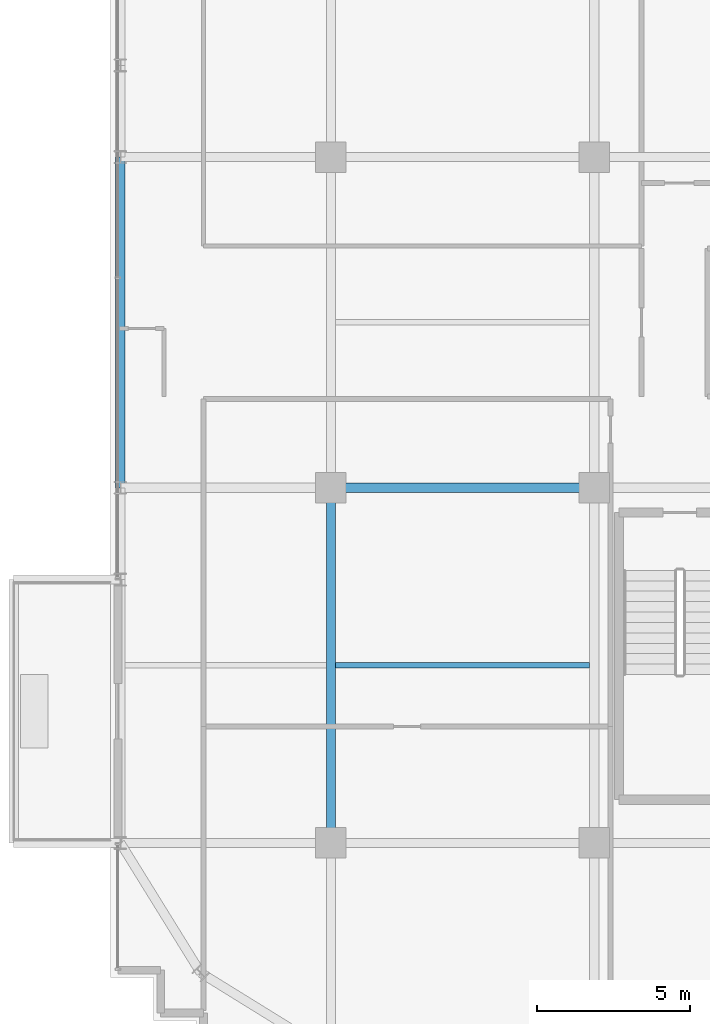
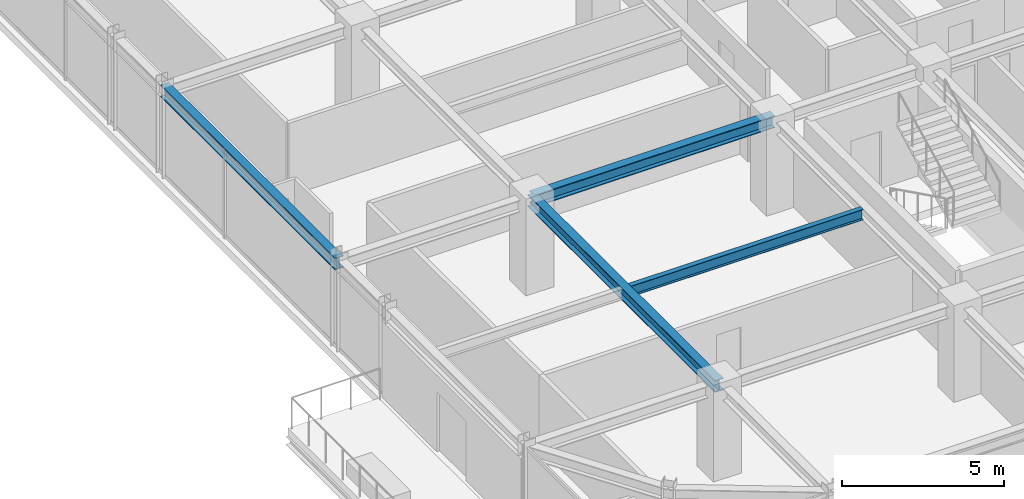
# One storey, part 8 of 32: 4 beams.
"""IFC4 building model written with IfcOpenShell, lengths in metres."""

from ifc_helpers import new_model, si_unit, direction, frame, origin, origin_2d, place, context, subcontext, project, spatial, i_section, extrude, source, transform, mapped, material, material_profile, profile_set, type_object, element, save


model = new_model("IFC4")

# Units and contexts
model_context = context("Model", 3, precision=1e-05, world=origin(), true_north=direction((0.0, 1.0)))
body_context = subcontext(model_context, "Body", "Model", "MODEL_VIEW")
ifc_project = project(units=[si_unit("LENGTHUNIT", "METRE"), si_unit("AREAUNIT", "SQUARE_METRE"), si_unit("VOLUMEUNIT", "CUBIC_METRE"), si_unit("PLANEANGLEUNIT", "RADIAN"), si_unit("MASSUNIT", "GRAM", prefix="KILO")], contexts=[model_context])

# Site, building, storey
site_placement = place(None, origin())
site = spatial("IfcSite", under=ifc_project, at=site_placement, CompositionType="ELEMENT")
building_placement = place(site_placement, origin())
building = spatial("IfcBuilding", under=site, at=building_placement, Name="Nahalor Promenade Grand Hotel", CompositionType="ELEMENT")
storey_placement = place(building_placement, frame((0.0, 0.0, 230.800048828125)))
storey = spatial("IfcBuildingStorey", under=building, at=storey_placement, Name="L59", CompositionType="ELEMENT", Elevation=230.800048828125)

# Beams
ifc_material = material(Name="Steel S355JR", Category="steel")
ifc_material_profile_1 = material_profile(ifc_material, i_section(OverallWidth=0.3, OverallDepth=0.45, WebThickness=0.014, FlangeThickness=0.026, at=origin_2d()), Name="HEB 450")
ifc_profile_set_1 = profile_set([ifc_material_profile_1], Name="Steel S355JR")
beam_type_1 = type_object("IfcBeamType", Name="Beam-Spandrel-HEB450", PredefinedType="SPANDREL", material=ifc_profile_set_1)
shared_shape_1 = source(origin(), body_context, "Body", "SweptSolid", [
    extrude(i_section(OverallWidth=0.3, OverallDepth=0.45, WebThickness=0.014, FlangeThickness=0.026, at=origin_2d()), origin(), (0.0, 0.0, 1.0), 10.7998046875),
])
beam_1_placement = place(storey_placement, frame((-23.8798828125, -5.39990234375, 3.18505859375), z_axis=(0.0, 1.0, 0.0), x_axis=(-1.0, 0.0, 0.0)))
element("IfcBeam", 1, at=beam_1_placement, inside=storey, type_object=beam_type_1, Name="BM-L59-SP-W-2", PredefinedType="SPANDREL", context=body_context, shape_type="MappedRepresentation", body=[
    mapped(shared_shape_1, transform((0.0, 0.0, 0.0), scale=1.0)),
])
ifc_material_profile_2 = material_profile(ifc_material, i_section(OverallWidth=0.3, OverallDepth=0.45, WebThickness=0.014, FlangeThickness=0.026, at=origin_2d()), Name="HEB 450")
ifc_profile_set_2 = profile_set([ifc_material_profile_2], Name="Steel S355JR")
beam_type_2 = type_object("IfcBeamType", Name="Beam-Girder-HEB450", PredefinedType="BEAM", material=ifc_profile_set_2)
shared_shape_2 = source(origin(), body_context, "Body", "SweptSolid", [
    extrude(i_section(OverallWidth=0.3, OverallDepth=0.45, WebThickness=0.014, FlangeThickness=0.026, at=origin_2d()), origin(), (0.0, 0.0, 1.0), 8.60009765625),
])
beam_2_placement = place(storey_placement, frame((-17.0, -5.39990234375, 3.18505859375), z_axis=(1.0, 0.0, 0.0), x_axis=(0.0, 1.0, 0.0)))
element("IfcBeam", 2, at=beam_2_placement, inside=storey, type_object=beam_type_2, Name="BM-L59-GX-1-1", PredefinedType="BEAM", context=body_context, shape_type="MappedRepresentation", body=[
    mapped(shared_shape_2, transform((0.0, 0.0, 0.0), scale=1.0)),
])
shared_shape_3 = source(origin(), body_context, "Body", "SweptSolid", [
    extrude(i_section(OverallWidth=0.3, OverallDepth=0.45, WebThickness=0.014, FlangeThickness=0.026, at=origin_2d()), origin(), (0.0, 0.0, 1.0), 11.60009765625),
])
beam_3_placement = place(storey_placement, frame((-17.0, -17.0, 3.18505859375), z_axis=(0.0, 1.0, 0.0), x_axis=(-1.0, 0.0, 0.0)))
element("IfcBeam", 3, at=beam_3_placement, inside=storey, type_object=beam_type_2, Name="BM-L59-GY-0-1", PredefinedType="BEAM", context=body_context, shape_type="MappedRepresentation", body=[
    mapped(shared_shape_3, transform((0.0, 0.0, 0.0), scale=1.0)),
])
ifc_material_profile_3 = material_profile(ifc_material, i_section(OverallWidth=0.18, OverallDepth=0.4, WebThickness=0.0086, FlangeThickness=0.0135, at=origin_2d()), Name="IPE 400")
ifc_profile_set_3 = profile_set([ifc_material_profile_3], Name="Steel S355JR")
beam_type_3 = type_object("IfcBeamType", Name="Beam-Joist-IPE400", PredefinedType="JOIST", material=ifc_profile_set_3)
shared_shape_4 = source(origin(), body_context, "Body", "SweptSolid", [
    extrude(i_section(OverallWidth=0.18, OverallDepth=0.4, WebThickness=0.0086, FlangeThickness=0.0135, at=origin_2d()), origin(), (0.0, 0.0, 1.0), 8.300048828125),
])
beam_4_placement = place(storey_placement, frame((-16.85009765625, -11.199951171875, 3.2099609375), z_axis=(1.0, 0.0, 0.0), x_axis=(0.0, 1.0, 0.0)))
element("IfcBeam", 4, at=beam_4_placement, inside=storey, type_object=beam_type_3, Name="BM-L59-JSW-0-1", PredefinedType="JOIST", context=body_context, shape_type="MappedRepresentation", body=[
    mapped(shared_shape_4, transform((0.0, 0.0, 0.0), scale=1.0)),
])

save(model, "model.ifc")
